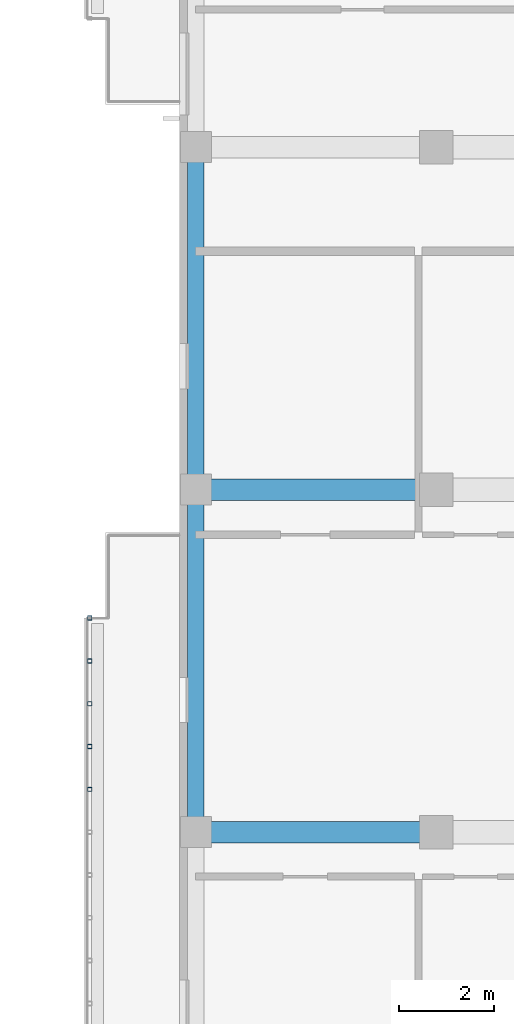
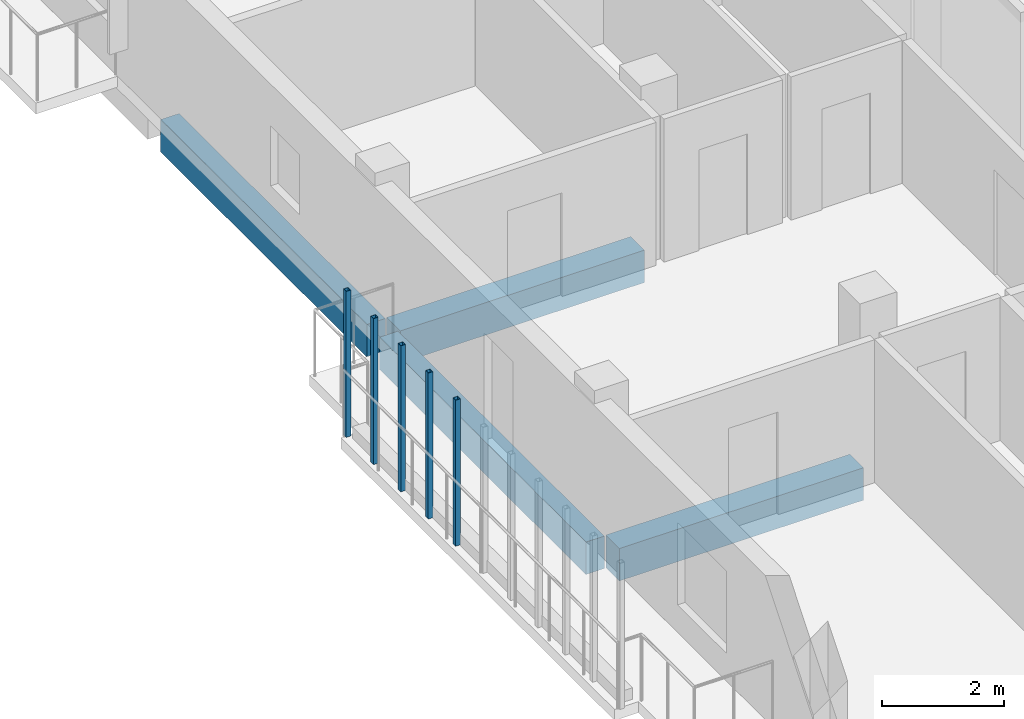
# One storey, part 17 of 51: 5 members, 4 beams.
"""IFC4 building model written with IfcOpenShell, lengths in metres."""

from ifc_helpers import new_model, si_unit, derived_unit, direction, frame, origin, origin_2d, place, context, subcontext, project, spatial, rectangle, hollow_rectangle, extrude, material, material_profile, profile_set, type_object, element, save


model = new_model("IFC4")

# Units and contexts
model_context = context("Model", 3, precision=1e-05, world=origin(), true_north=direction((0.0, 1.0)))
body_context = subcontext(model_context, "Body", "Model", "MODEL_VIEW")
ifc_project = project(units=[si_unit("LENGTHUNIT", "METRE"), si_unit("AREAUNIT", "SQUARE_METRE"), si_unit("VOLUMEUNIT", "CUBIC_METRE"), si_unit("PLANEANGLEUNIT", "RADIAN"), si_unit("MASSUNIT", "GRAM", prefix="KILO"), derived_unit("THERMALTRANSMITTANCEUNIT", [(si_unit("MASSUNIT", "GRAM", prefix="KILO"), 1), (si_unit("TIMEUNIT", "SECOND"), -3), (si_unit("THERMODYNAMICTEMPERATUREUNIT", "KELVIN"), -1)])], contexts=[model_context])

# Site, building, storey
site_placement = place(None, origin())
site = spatial("IfcSite", under=ifc_project, at=site_placement, CompositionType="ELEMENT")
building_placement = place(site_placement, origin())
building = spatial("IfcBuilding", under=site, at=building_placement, Name="Ochrekiln Boulevard Commons", CompositionType="ELEMENT")
storey_placement = place(building_placement, frame((0.0, 0.0, 18.375)))
storey = spatial("IfcBuildingStorey", under=building, at=storey_placement, Name="L05", CompositionType="ELEMENT", Elevation=18.375)

# Beams
ifc_material_1 = material(Name="Concrete C35/45", Category="concrete")
ifc_material_profile_1 = material_profile(ifc_material_1, rectangle(XDim=0.449951171875, YDim=0.64990234375, at=origin_2d()), Name="RC-BM-450x650")
ifc_profile_set_1 = profile_set([ifc_material_profile_1], Name="Concrete C35/45")
beam_type_1 = type_object("IfcBeamType", Name="BM-RC-450x650", PredefinedType="BEAM", material=ifc_profile_set_1)
for number, where, z_axis, x_axis, name in (
    (1, (151.760009765625, 82.800048828125, -0.5849609375), (1.0, 0.0, 0.0), (0.0, 1.0, 0.0), "Block B L05 Beam B-4565 X6"),
    (2, (151.760009765625, 90.0, -0.5849609375), (1.0, 0.0, 0.0), (0.0, 1.0, 0.0), "Block B L05 Beam B-4565 X9"),
):
    element("IfcBeam", number, at=place(storey_placement, frame(where, z_axis=z_axis, x_axis=x_axis)), inside=storey, type_object=beam_type_1, Name=name, PredefinedType="BEAM", context=body_context, shape_type="SweptSolid", body=[
        extrude(rectangle(XDim=0.449951171875, YDim=0.64990234375, at=origin_2d()), origin(), (0.0, 0.0, 1.0), 4.6298828125),
    ])

# Members
ifc_material_2 = material(Name="Steel A500 Grade C", Category="steel")
ifc_material_profile_2 = material_profile(ifc_material_2, hollow_rectangle(XDim=0.090087890625, YDim=0.090087890625, WallThickness=0.00634765625, at=origin_2d()), Name="HSS90X90X6.4")
ifc_profile_set_2 = profile_set([ifc_material_profile_2], Name="Steel A500 Grade C")
member_type = type_object("IfcMemberType", Name="MEM-PST-HSS90", PredefinedType="POST", material=ifc_profile_set_2)
for number, where, z_axis, x_axis, name in (
    (3, (149.320068359375, 83.699951171875, 0.0), (0.0, 0.0, 1.0), (1.0, 0.0, 0.0), "Block B L05 Slim Vertical Balcony Post (249)"),
    (4, (149.320068359375, 84.60009765625, 0.0), (0.0, 0.0, 1.0), (1.0, 0.0, 0.0), "Block B L05 Slim Vertical Balcony Post (250)"),
    (5, (149.320068359375, 85.5, 0.0), (0.0, 0.0, 1.0), (1.0, 0.0, 0.0), "Block B L05 Slim Vertical Balcony Post (251)"),
    (6, (149.320068359375, 86.39990234375, 0.0), (0.0, 0.0, 1.0), (1.0, 0.0, 0.0), "Block B L05 Slim Vertical Balcony Post (252)"),
    (7, (149.320068359375, 87.300048828125, 0.0), (0.0, 0.0, 1.0), (1.0, 0.0, 0.0), "Block B L05 Slim Vertical Balcony Post (253)"),
):
    element("IfcMember", number, at=place(storey_placement, frame(where, z_axis=z_axis, x_axis=x_axis)), inside=storey, type_object=member_type, Name=name, PredefinedType="POST", context=body_context, shape_type="SweptSolid", body=[
        extrude(hollow_rectangle(XDim=0.090087890625, YDim=0.090087890625, WallThickness=0.00634765625, at=origin_2d()), origin(), (0.0, 0.0, 1.0), 2.929931640625),
    ])

# Beams
ifc_material_3 = material(Name="Concrete C40/50", Category="concrete")
ifc_material_profile_3 = material_profile(ifc_material_3, rectangle(XDim=0.35009765625, YDim=0.64990234375, at=origin_2d()), Name="RC-SPN-350x650")
ifc_profile_set_3 = profile_set([ifc_material_profile_3], Name="Concrete C40/50")
beam_type_2 = type_object("IfcBeamType", Name="SPN-RC-350x650", PredefinedType="SPANDREL", material=ifc_profile_set_3)
for number, where, z_axis, x_axis, name in (
    (8, (151.550048828125, 83.010009765625, -0.5849609375), (0.0, 1.0, 0.0), (-1.0, 0.0, 0.0), "Block B L05 Beam SP-3565 Y25"),
    (9, (151.550048828125, 90.2099609375, -0.5849609375), (0.0, 1.0, 0.0), (-1.0, 0.0, 0.0), "Block B L05 Beam SP-3565 Y26"),
):
    element("IfcBeam", number, at=place(storey_placement, frame(where, z_axis=z_axis, x_axis=x_axis)), inside=storey, type_object=beam_type_2, Name=name, PredefinedType="SPANDREL", context=body_context, shape_type="SweptSolid", body=[
        extrude(rectangle(XDim=0.35009765625, YDim=0.64990234375, at=origin_2d()), origin(), (0.0, 0.0, 1.0), 6.780029296875),
    ])

save(model, "model.ifc")
